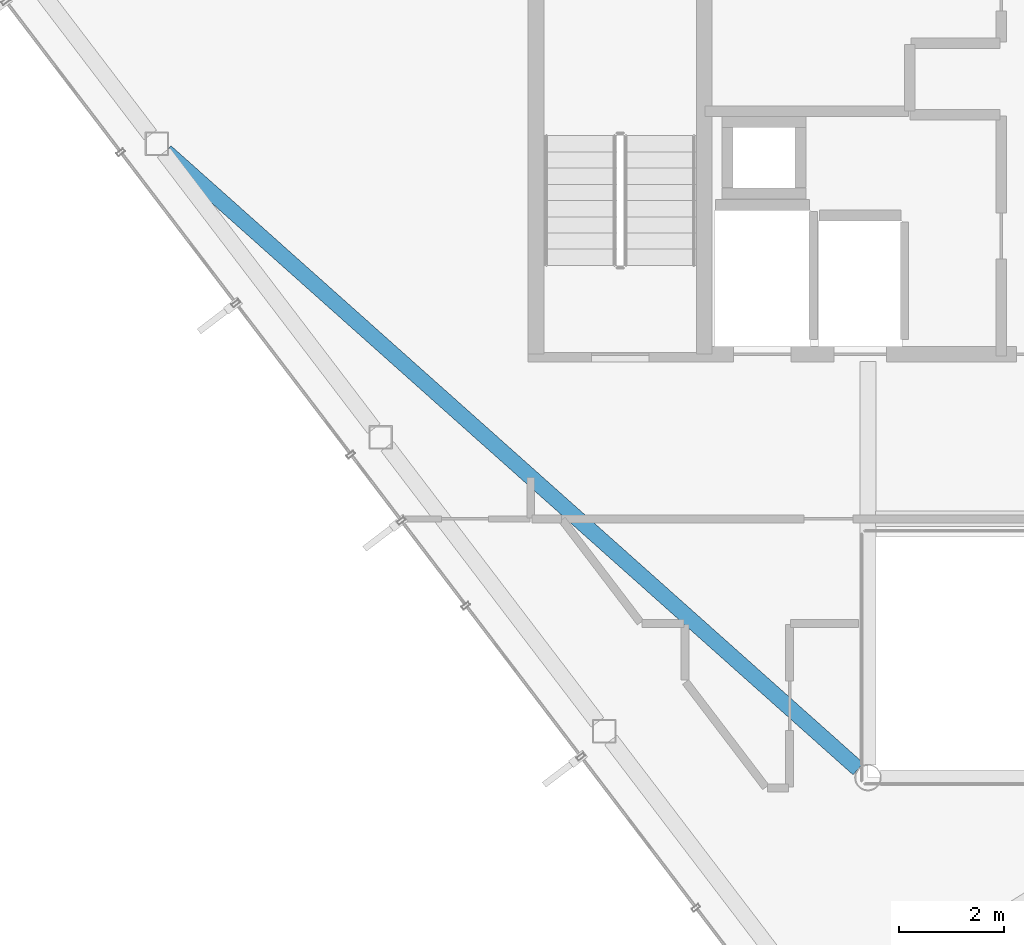
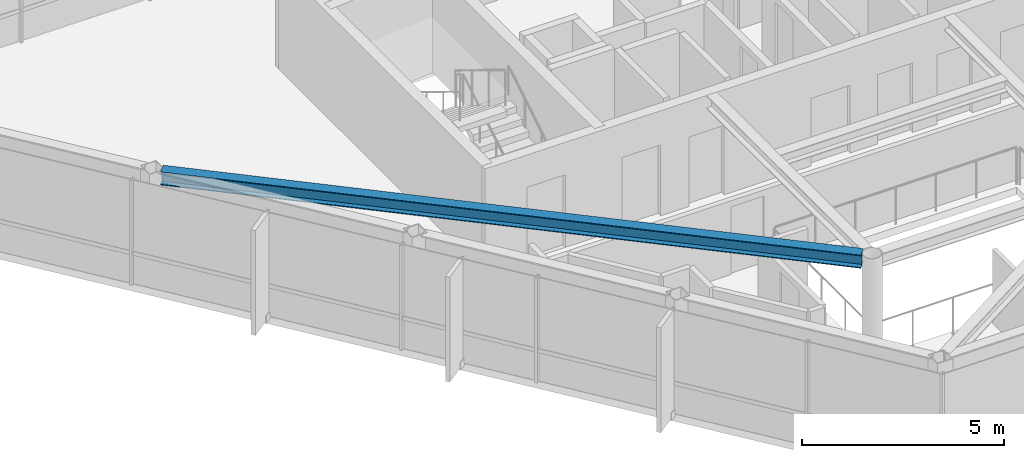
# One storey, part 4 of 23: 1 beam.
"""IFC4 building model written with IfcOpenShell, lengths in metres."""

from ifc_helpers import new_model, si_unit, direction, frame, origin, origin_2d, place, context, subcontext, project, spatial, i_section, extrude, material, material_profile, profile_set, type_object, element, save


model = new_model("IFC4")

# Units and contexts
model_context = context("Model", 3, precision=1e-05, world=origin(), true_north=direction((0.0, 1.0)))
body_context = subcontext(model_context, "Body", "Model", "MODEL_VIEW")
ifc_project = project(units=[si_unit("LENGTHUNIT", "METRE"), si_unit("AREAUNIT", "SQUARE_METRE"), si_unit("VOLUMEUNIT", "CUBIC_METRE"), si_unit("PLANEANGLEUNIT", "RADIAN"), si_unit("MASSUNIT", "GRAM", prefix="KILO")], contexts=[model_context])

# Site, building, storey
site_placement = place(None, origin())
site = spatial("IfcSite", under=ifc_project, at=site_placement, CompositionType="ELEMENT")
building_placement = place(site_placement, origin())
building = spatial("IfcBuilding", under=site, at=building_placement, Name="Zarrinselat Tower", CompositionType="ELEMENT")
storey_placement = place(building_placement, frame((0.0, 0.0, 278.800048828125)))
storey = spatial("IfcBuildingStorey", under=building, at=storey_placement, Name="L71", CompositionType="ELEMENT", Elevation=278.800048828125)

# Beam
ifc_material = material(Name="Steel S355J2", Category="steel")
ifc_material_profile = material_profile(ifc_material, i_section(OverallWidth=0.300048828125, OverallDepth=0.39990234375, WebThickness=0.013427734375, FlangeThickness=0.02392578125, at=origin_2d()), Name="HEB 400")
ifc_profile_set = profile_set([ifc_material_profile], Name="Steel S355J2")
beam_type = type_object("IfcBeamType", Name="BM-HEB400", PredefinedType="BEAM", material=ifc_profile_set)
beam_placement = place(storey_placement, frame((21.56689453125, 37.175537109375, 2.97998046875), z_axis=(0.746447608011, -0.665444188866, 0.0), x_axis=(0.665444188866, 0.746447608011, 0.0)))
element("IfcBeam", 1, at=beam_placement, inside=storey, type_object=beam_type, Name="L71 Radial Primary Girder RG07", PredefinedType="BEAM", context=body_context, shape_type="SweptSolid", body=[
    extrude(i_section(OverallWidth=0.300048828125, OverallDepth=0.39990234375, WebThickness=0.013427734375, FlangeThickness=0.02392578125, at=origin_2d()), origin(), (0.0, 0.0, 1.0), 17.74609375),
])

save(model, "model.ifc")
